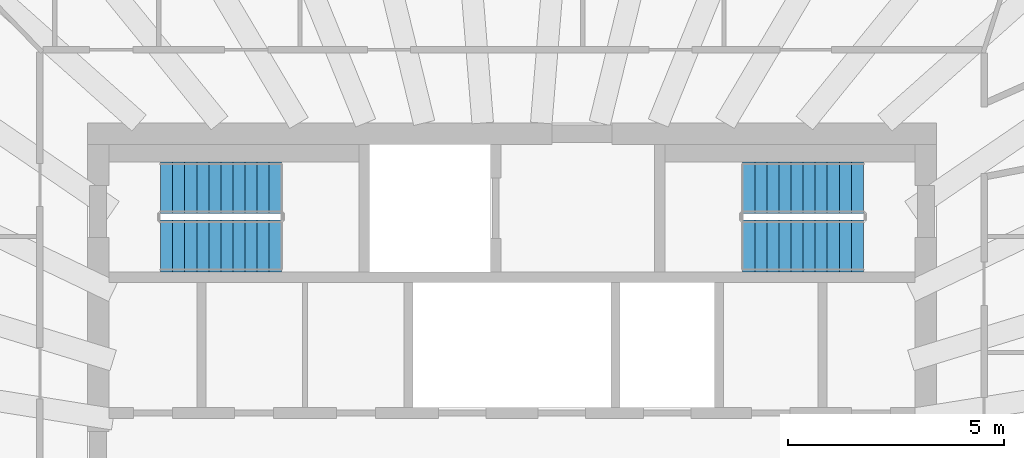
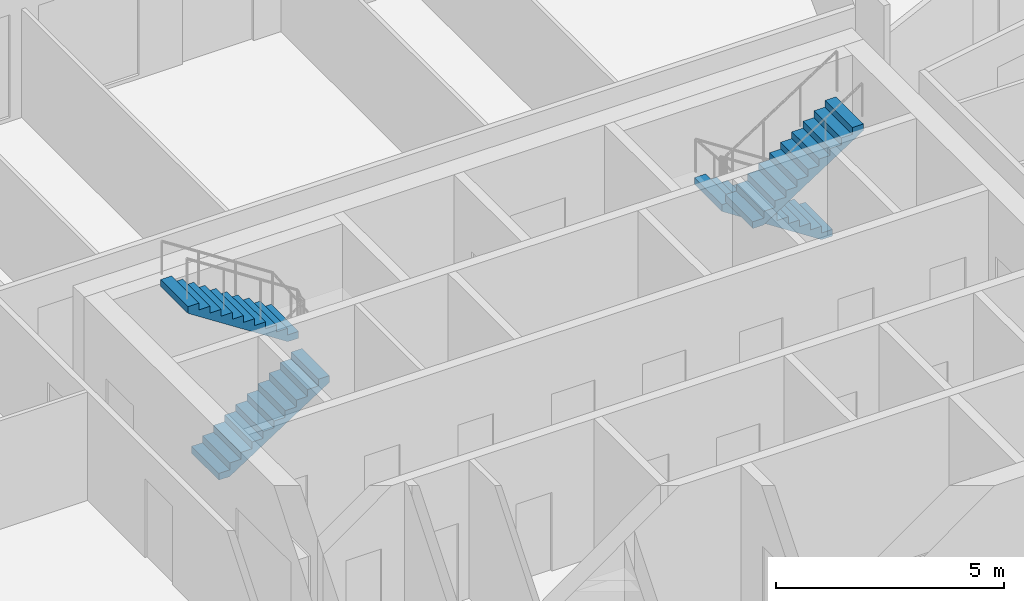
# One storey, part 8 of 12: 4 stair flights, 2 elements without a shape of their own.
"""IFC4 building model written with IfcOpenShell, lengths in metres."""

from ifc_helpers import new_model, si_unit, direction, frame, origin, place, context, subcontext, project, spatial, polyline, outline, extrude, material, layer, layer_set, type_object, element, aggregate, save


model = new_model("IFC4")

# Units and contexts
model_context = context("Model", 3, precision=1e-05, world=origin(), true_north=direction((0.0, 1.0)))
body_context = subcontext(model_context, "Body", "Model", "MODEL_VIEW")
ifc_project = project(units=[si_unit("LENGTHUNIT", "METRE"), si_unit("AREAUNIT", "SQUARE_METRE"), si_unit("VOLUMEUNIT", "CUBIC_METRE"), si_unit("PLANEANGLEUNIT", "RADIAN"), si_unit("MASSUNIT", "GRAM", prefix="KILO")], contexts=[model_context])

# Site, building, storey
site_placement = place(None, origin())
site = spatial("IfcSite", under=ifc_project, at=site_placement, CompositionType="ELEMENT")
building_placement = place(site_placement, origin())
building = spatial("IfcBuilding", under=site, at=building_placement, Name="Frailejon Research Tower", CompositionType="ELEMENT")
storey_placement = place(building_placement, frame((0.0, 0.0, 271.0)))
storey = spatial("IfcBuildingStorey", under=building, at=storey_placement, Name="L59", CompositionType="ELEMENT", Elevation=271.0)

# Stair, stair flights
ifc_material_1 = material(Name="Concrete C50/60", Category="concrete")
stair_type = type_object("IfcStairType", Name="Exit stair 22 risers", PredefinedType="HALF_TURN_STAIR", material=ifc_material_1)
stair_1_placement = place(storey_placement, origin())
stair_1 = element("IfcStair", 1, at=stair_1_placement, inside=storey, type_object=stair_type, Name="L59 Exit stair ST1", PredefinedType="HALF_TURN_STAIR")
ifc_material_2 = material(Name="Concrete C50/60", Category="concrete")
ifc_layer = layer(ifc_material_2, 0.14990234375)
ifc_layer_set = layer_set([ifc_layer], Name="Stair flight 11 risers")
stair_flight_type = type_object("IfcStairFlightType", Name="Stair flight 11 risers", PredefinedType="STRAIGHT", material=ifc_layer_set)
stair_flight_1_placement = place(storey_placement, frame((-8.14990234375, 5.5, 0.0), z_axis=(0.0, 0.0, 1.0), x_axis=(1.0, 0.0, 0.0)))
stair_flight_1 = element("IfcStairFlight", 2, at=stair_flight_1_placement, type_object=stair_flight_type, Name="ST1 flight 1", NumberOfRisers=11, NumberOfTreads=10, PredefinedType="STRAIGHT", RiserHeight=0.181818182, TreadLength=0.28, context=body_context, shape_type="SweptSolid", body=[
    extrude(outline(polyline([(0.0, 0.0), (0.0, 0.181884765625), (0.280029296875, 0.181884765625), (0.280029296875, 0.363525390625), (0.56005859375, 0.363525390625), (0.56005859375, 0.54541015625), (0.840087890625, 0.54541015625), (0.840087890625, 0.727294921875), (1.1201171875, 0.727294921875), (1.1201171875, 0.9091796875), (1.39990234375, 0.9091796875), (1.39990234375, 1.0908203125), (1.679931640625, 1.0908203125), (1.679931640625, 1.272705078125), (1.9599609375, 1.272705078125), (1.9599609375, 1.45458984375), (2.239990234375, 1.45458984375), (2.239990234375, 1.636474609375), (2.52001953125, 1.636474609375), (2.52001953125, 1.818115234375), (2.800048828125, 1.818115234375), (2.800048828125, 2.0), (2.800048828125, 1.639404296875), (0.275146484375, 0.0), (0.0, 0.0)])), frame((0.0, 0.60009765625, 0.0), z_axis=(0.0, -1.0, 0.0), x_axis=(1.0, 0.0, 0.0)), (0.0, 0.0, 1.0), 1.199951171875),
])
stair_flight_2_placement = place(storey_placement, frame((-5.35009765625, 6.85009765625, 2.0), z_axis=(0.0, 0.0, 1.0), x_axis=(-1.0, 0.0, 0.0)))
stair_flight_2 = element("IfcStairFlight", 3, at=stair_flight_2_placement, type_object=stair_flight_type, Name="ST1 flight 2", NumberOfRisers=11, NumberOfTreads=10, PredefinedType="STRAIGHT", RiserHeight=0.181818182, TreadLength=0.28, context=body_context, shape_type="SweptSolid", body=[
    extrude(outline(polyline([(0.0, 0.0), (0.0, 0.181884765625), (0.280029296875, 0.181884765625), (0.280029296875, 0.363525390625), (0.56005859375, 0.363525390625), (0.56005859375, 0.54541015625), (0.840087890625, 0.54541015625), (0.840087890625, 0.727294921875), (1.1201171875, 0.727294921875), (1.1201171875, 0.9091796875), (1.39990234375, 0.9091796875), (1.39990234375, 1.0908203125), (1.679931640625, 1.0908203125), (1.679931640625, 1.272705078125), (1.9599609375, 1.272705078125), (1.9599609375, 1.45458984375), (2.239990234375, 1.45458984375), (2.239990234375, 1.636474609375), (2.52001953125, 1.636474609375), (2.52001953125, 1.818115234375), (2.800048828125, 1.818115234375), (2.800048828125, 2.0), (2.800048828125, 1.639404296875), (0.275146484375, 0.0), (0.0, 0.0)])), frame((0.0, 0.60009765625, 0.0), z_axis=(0.0, -1.0, 0.0), x_axis=(1.0, 0.0, 0.0)), (0.0, 0.0, 1.0), 1.199951171875),
])
aggregate(stair_1, [stair_flight_1, stair_flight_2])

stair_2_placement = place(storey_placement, origin())
stair_2 = element("IfcStair", 4, at=stair_2_placement, inside=storey, type_object=stair_type, Name="L59 Exit stair ST3", PredefinedType="HALF_TURN_STAIR")
stair_flight_3_placement = place(storey_placement, frame((8.14990234375, 6.85009765625, 0.0), z_axis=(0.0, 0.0, 1.0), x_axis=(-1.0, 0.0, 0.0)))
stair_flight_3 = element("IfcStairFlight", 5, at=stair_flight_3_placement, type_object=stair_flight_type, Name="ST3 flight 1", NumberOfRisers=11, NumberOfTreads=10, PredefinedType="STRAIGHT", RiserHeight=0.181818182, TreadLength=0.28, context=body_context, shape_type="SweptSolid", body=[
    extrude(outline(polyline([(0.0, 0.0), (0.0, 0.181884765625), (0.280029296875, 0.181884765625), (0.280029296875, 0.363525390625), (0.56005859375, 0.363525390625), (0.56005859375, 0.54541015625), (0.840087890625, 0.54541015625), (0.840087890625, 0.727294921875), (1.1201171875, 0.727294921875), (1.1201171875, 0.9091796875), (1.39990234375, 0.9091796875), (1.39990234375, 1.0908203125), (1.679931640625, 1.0908203125), (1.679931640625, 1.272705078125), (1.9599609375, 1.272705078125), (1.9599609375, 1.45458984375), (2.239990234375, 1.45458984375), (2.239990234375, 1.636474609375), (2.52001953125, 1.636474609375), (2.52001953125, 1.818115234375), (2.800048828125, 1.818115234375), (2.800048828125, 2.0), (2.800048828125, 1.639404296875), (0.275146484375, 0.0), (0.0, 0.0)])), frame((0.0, 0.60009765625, 0.0), z_axis=(0.0, -1.0, 0.0), x_axis=(1.0, 0.0, 0.0)), (0.0, 0.0, 1.0), 1.199951171875),
])
stair_flight_4_placement = place(storey_placement, frame((5.35009765625, 5.5, 2.0), z_axis=(0.0, 0.0, 1.0), x_axis=(1.0, 0.0, 0.0)))
stair_flight_4 = element("IfcStairFlight", 6, at=stair_flight_4_placement, type_object=stair_flight_type, Name="ST3 flight 2", NumberOfRisers=11, NumberOfTreads=10, PredefinedType="STRAIGHT", RiserHeight=0.181818182, TreadLength=0.28, context=body_context, shape_type="SweptSolid", body=[
    extrude(outline(polyline([(0.0, 0.0), (0.0, 0.181884765625), (0.280029296875, 0.181884765625), (0.280029296875, 0.363525390625), (0.56005859375, 0.363525390625), (0.56005859375, 0.54541015625), (0.840087890625, 0.54541015625), (0.840087890625, 0.727294921875), (1.1201171875, 0.727294921875), (1.1201171875, 0.9091796875), (1.39990234375, 0.9091796875), (1.39990234375, 1.0908203125), (1.679931640625, 1.0908203125), (1.679931640625, 1.272705078125), (1.9599609375, 1.272705078125), (1.9599609375, 1.45458984375), (2.239990234375, 1.45458984375), (2.239990234375, 1.636474609375), (2.52001953125, 1.636474609375), (2.52001953125, 1.818115234375), (2.800048828125, 1.818115234375), (2.800048828125, 2.0), (2.800048828125, 1.639404296875), (0.275146484375, 0.0), (0.0, 0.0)])), frame((0.0, 0.60009765625, 0.0), z_axis=(0.0, -1.0, 0.0), x_axis=(1.0, 0.0, 0.0)), (0.0, 0.0, 1.0), 1.199951171875),
])
aggregate(stair_2, [stair_flight_3, stair_flight_4])

save(model, "model.ifc")
